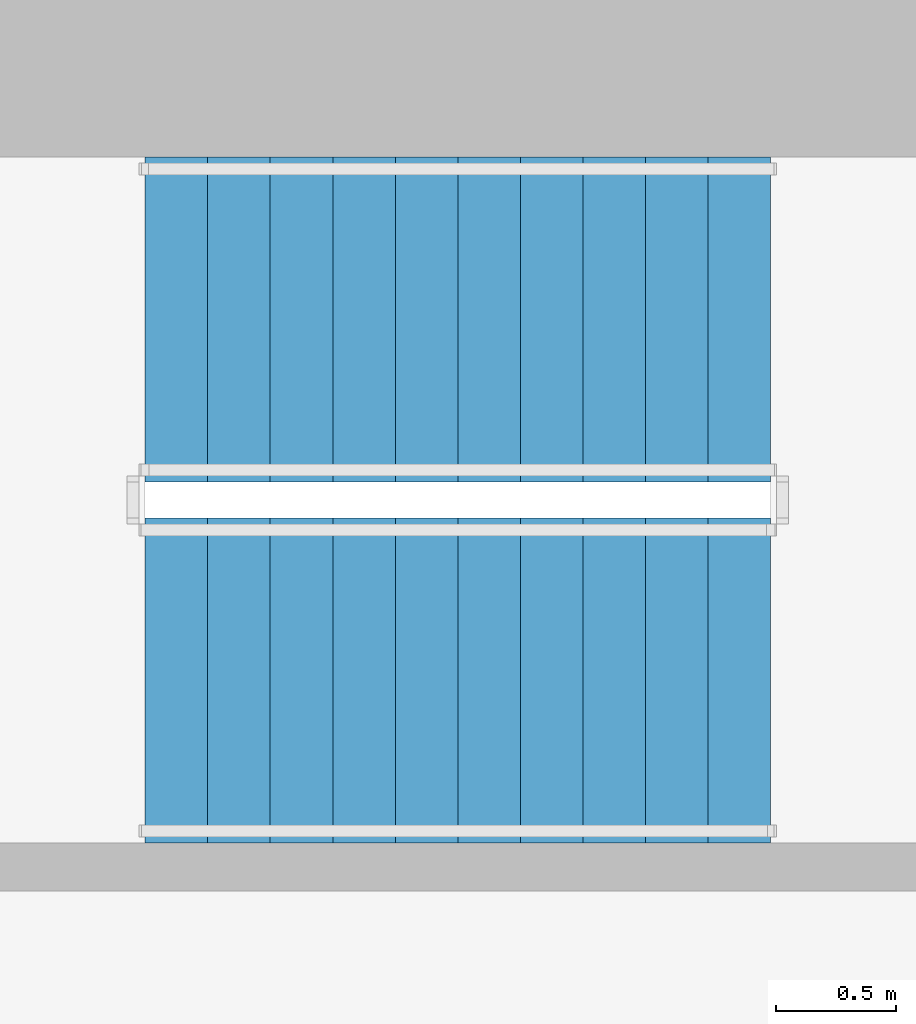
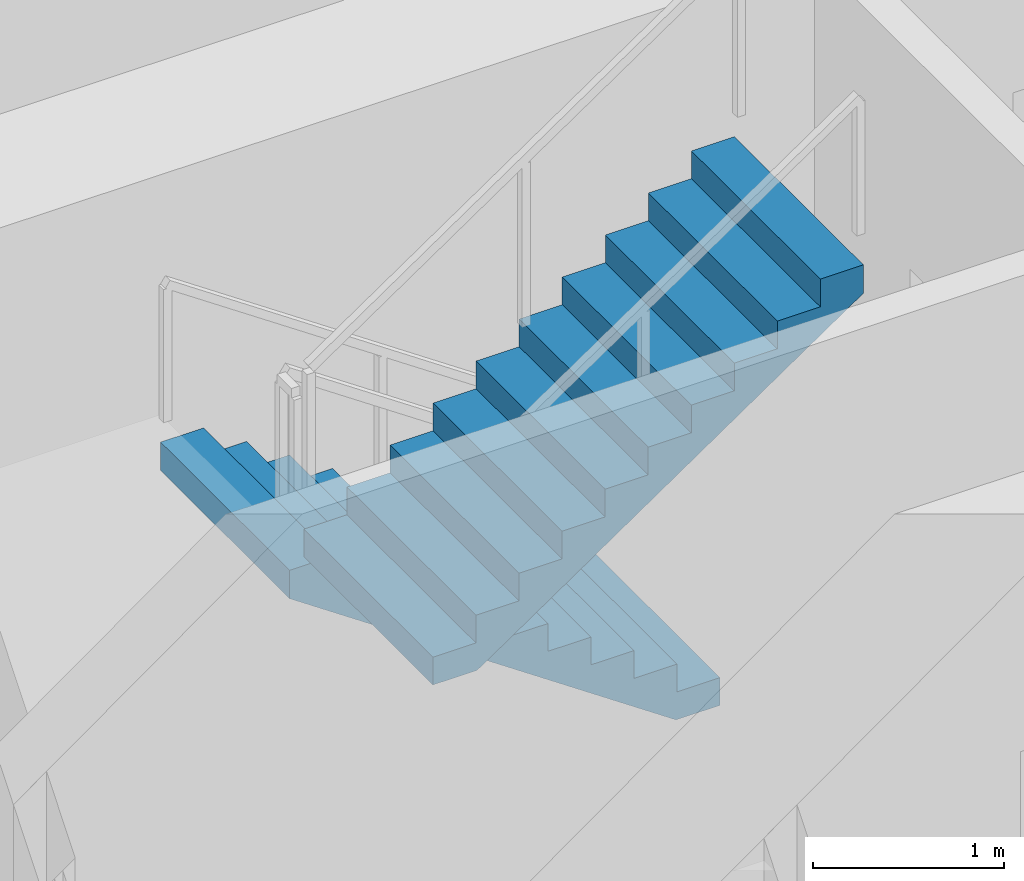
# One storey, part 10 of 16: 2 stair flights, 1 element without a shape of its own.
"""IFC4 building model written with IfcOpenShell, lengths in metres."""

from ifc_helpers import new_model, si_unit, direction, frame, origin, place, context, subcontext, project, spatial, polyline, outline, extrude, material, type_object, element, aggregate, save


model = new_model("IFC4")

# Units and contexts
model_context = context("Model", 3, precision=1e-05, world=origin(), true_north=direction((0.0, 1.0)))
body_context = subcontext(model_context, "Body", "Model", "MODEL_VIEW")
ifc_project = project(units=[si_unit("LENGTHUNIT", "METRE"), si_unit("AREAUNIT", "SQUARE_METRE"), si_unit("VOLUMEUNIT", "CUBIC_METRE"), si_unit("PLANEANGLEUNIT", "RADIAN"), si_unit("MASSUNIT", "GRAM", prefix="KILO")], contexts=[model_context])

# Site, building, storey
site_placement = place(None, origin())
site = spatial("IfcSite", under=ifc_project, at=site_placement, CompositionType="ELEMENT")
building_placement = place(site_placement, origin())
building = spatial("IfcBuilding", under=site, at=building_placement, Name="Khepri Terraces", CompositionType="ELEMENT")
storey_placement = place(building_placement, frame((0.0, 0.0, 153.300048828125)))
storey = spatial("IfcBuildingStorey", under=building, at=storey_placement, Name="L36", CompositionType="ELEMENT", Elevation=153.300048828125)

# Stair, stair flights
ifc_material = material(Name="Concrete C40/50", Category="concrete")
stair_type = type_object("IfcStairType", Name="STAIR-RC-22R", PredefinedType="HALF_TURN_STAIR", material=ifc_material)
stair_placement = place(storey_placement, origin())
stair = element("IfcStair", 1, at=stair_placement, inside=storey, type_object=stair_type, Name="L36 Exit Stair ST-3", PredefinedType="HALF_TURN_STAIR")
stair_flight_type = type_object("IfcStairFlightType", Name="SFL-RC-177.3", PredefinedType="STRAIGHT", material=ifc_material)
stair_flight_1_placement = place(storey_placement, frame((-0.25, 9.425048828125, 0.0), z_axis=(0.0, 0.0, 1.0), x_axis=(-1.0, 0.0, 0.0)))
stair_flight_1 = element("IfcStairFlight", 2, at=stair_flight_1_placement, type_object=stair_flight_type, Name="ST-3 flight 1", NumberOfRisers=11, NumberOfTreads=10, PredefinedType="STRAIGHT", RiserHeight=0.177272727, TreadLength=0.26, context=body_context, shape_type="SweptSolid", body=[
    extrude(outline(polyline([(0.0, 0.0), (0.0, 0.17724609375), (0.260009765625, 0.17724609375), (0.260009765625, 0.3544921875), (0.52001953125, 0.3544921875), (0.52001953125, 0.53173828125), (0.780029296875, 0.53173828125), (0.780029296875, 0.708984375), (1.0400390625, 0.708984375), (1.0400390625, 0.886474609375), (1.300048828125, 0.886474609375), (1.300048828125, 1.063720703125), (1.56005859375, 1.063720703125), (1.56005859375, 1.240966796875), (1.820068359375, 1.240966796875), (1.820068359375, 1.418212890625), (2.080078125, 1.418212890625), (2.080078125, 1.595458984375), (2.340087890625, 1.595458984375), (2.340087890625, 1.772705078125), (2.60009765625, 1.772705078125), (2.60009765625, 1.949951171875), (2.60009765625, 1.59130859375), (0.26611328125, 0.0), (0.0, 0.0)])), frame((0.0, 0.675048828125, 0.0), z_axis=(0.0, -1.0, 0.0), x_axis=(1.0, 0.0, 0.0)), (0.0, 0.0, 1.0), 1.35009765625),
])
stair_flight_2_placement = place(storey_placement, frame((-2.85009765625, 7.925048828125, 1.949951171875), z_axis=(0.0, 0.0, 1.0), x_axis=(1.0, 0.0, 0.0)))
stair_flight_2 = element("IfcStairFlight", 3, at=stair_flight_2_placement, type_object=stair_flight_type, Name="ST-3 flight 2", NumberOfRisers=11, NumberOfTreads=10, PredefinedType="STRAIGHT", RiserHeight=0.177272727, TreadLength=0.26, context=body_context, shape_type="SweptSolid", body=[
    extrude(outline(polyline([(0.0, 0.0), (0.0, 0.17724609375), (0.260009765625, 0.17724609375), (0.260009765625, 0.3544921875), (0.52001953125, 0.3544921875), (0.52001953125, 0.53173828125), (0.780029296875, 0.53173828125), (0.780029296875, 0.708984375), (1.0400390625, 0.708984375), (1.0400390625, 0.886474609375), (1.300048828125, 0.886474609375), (1.300048828125, 1.063720703125), (1.56005859375, 1.063720703125), (1.56005859375, 1.240966796875), (1.820068359375, 1.240966796875), (1.820068359375, 1.418212890625), (2.080078125, 1.418212890625), (2.080078125, 1.595458984375), (2.340087890625, 1.595458984375), (2.340087890625, 1.772705078125), (2.60009765625, 1.772705078125), (2.60009765625, 1.949951171875), (2.60009765625, 1.59130859375), (0.26611328125, 0.0), (0.0, 0.0)])), frame((0.0, 0.675048828125, 0.0), z_axis=(0.0, -1.0, 0.0), x_axis=(1.0, 0.0, 0.0)), (0.0, 0.0, 1.0), 1.35009765625),
])
aggregate(stair, [stair_flight_1, stair_flight_2])

save(model, "model.ifc")
